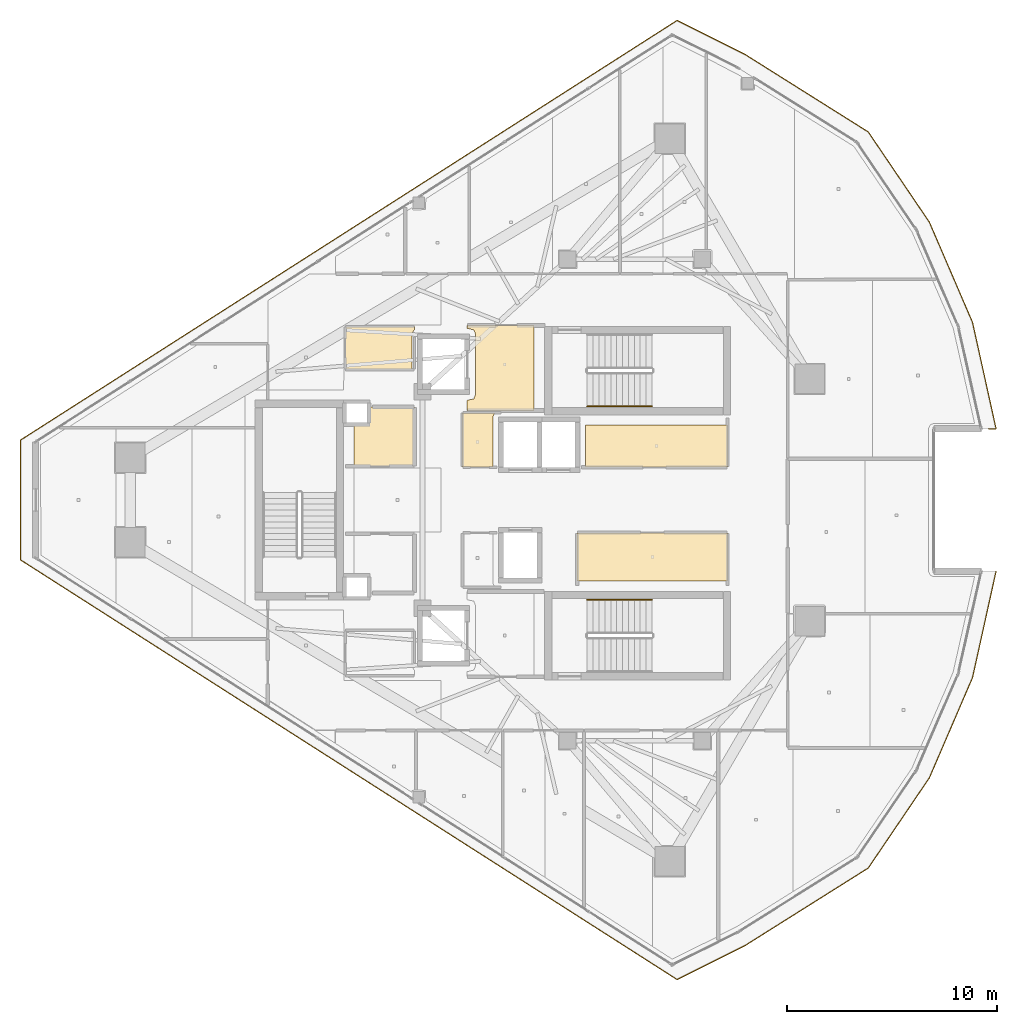
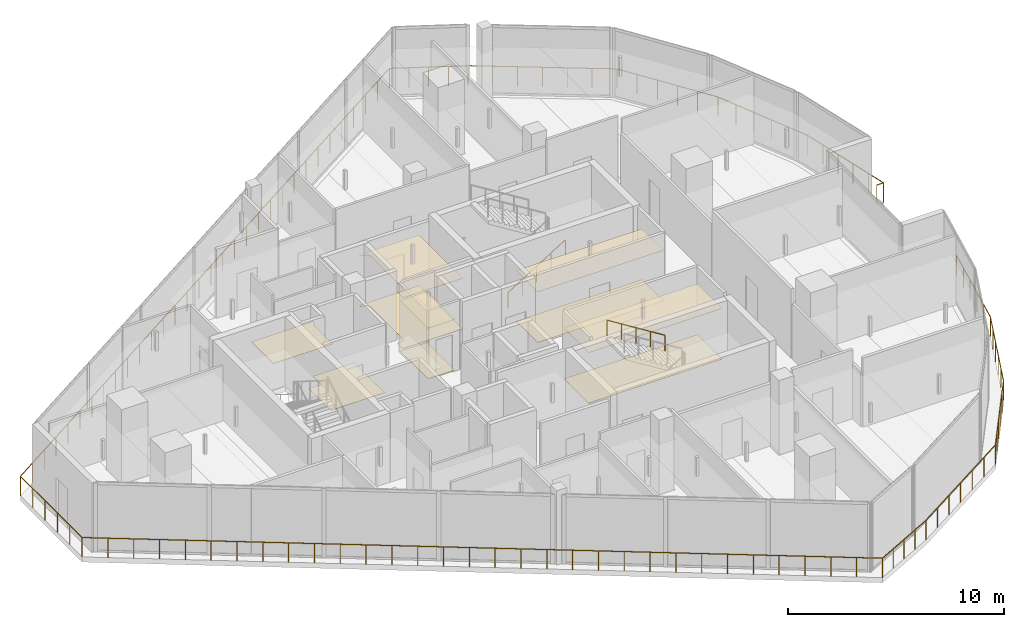
# One storey, part 23 of 25: 10 coverings, 3 railings.
"""IFC4 building model written with IfcOpenShell, lengths in metres."""

from ifc_helpers import new_model, si_unit, direction, frame, origin, origin_2d, place, context, subcontext, project, spatial, polyline, circle, outline, extrude, material, layer, layer_set, type_object, element, save


model = new_model("IFC4")

# Units and contexts
model_context = context("Model", 3, precision=1e-05, world=origin(), true_north=direction((0.0, 1.0)))
body_context = subcontext(model_context, "Body", "Model", "MODEL_VIEW")
ifc_project = project(units=[si_unit("LENGTHUNIT", "METRE"), si_unit("AREAUNIT", "SQUARE_METRE"), si_unit("VOLUMEUNIT", "CUBIC_METRE"), si_unit("PLANEANGLEUNIT", "RADIAN"), si_unit("MASSUNIT", "GRAM", prefix="KILO")], contexts=[model_context])

# Site, building, storey
site_placement = place(None, origin())
site = spatial("IfcSite", under=ifc_project, at=site_placement, CompositionType="ELEMENT")
building_placement = place(site_placement, origin())
building = spatial("IfcBuilding", under=site, at=building_placement, Name="Qorvath Tower", CompositionType="ELEMENT")
storey_placement = place(building_placement, frame((0.0, 0.0, 306.0)))
storey = spatial("IfcBuildingStorey", under=building, at=storey_placement, Name="L71", CompositionType="ELEMENT", Elevation=306.0)

# Coverings
ifc_material_1 = material(Name="Acoustic mineral fibre ceiling tile", Category="gypsum")
ifc_layer_1 = layer(ifc_material_1, 0.030029296875)
ifc_layer_set_1 = layer_set([ifc_layer_1], Name="COV-CEIL")
covering_type_1 = type_object("IfcCoveringType", Name="COV-CEIL", PredefinedType="CEILING", material=ifc_layer_set_1)
covering_1_placement = place(storey_placement, frame((0.0, 0.0, 2.85009765625)))
element("IfcCovering", 1, at=covering_1_placement, inside=storey, type_object=covering_type_1, Name="L71 Suspended Acoustic Ceiling 001", PredefinedType="CEILING", context=body_context, shape_type="SweptSolid", body=[
    extrude(outline(polyline([(-25.18994140625, 4.2548828125), (-25.18994140625, 8.294921875), (-28.375, 8.294921875), (-28.375, 8.159912109375), (-28.063232421875, 8.086669921875), (-27.989990234375, 7.909912109375), (-27.989990234375, 4.989990234375), (-28.063232421875, 4.813232421875), (-28.375, 4.739990234375), (-28.375, 4.2548828125), (-25.18994140625, 4.2548828125)])), origin(), (0.0, 0.0, 1.0), 0.030029296875),
])
covering_2_placement = place(storey_placement, frame((0.0, 0.0, 2.85009765625)))
element("IfcCovering", 2, at=covering_2_placement, inside=storey, type_object=covering_type_1, Name="L71 Suspended Acoustic Ceiling 003", PredefinedType="CEILING", context=body_context, shape_type="SweptSolid", body=[
    extrude(outline(polyline([(-16.0048828125, 3.56005859375), (-22.739990234375, 3.56005859375), (-22.739990234375, 1.56494140625), (-16.0048828125, 1.56494140625), (-16.0048828125, 3.56005859375)])), origin(), (0.0, 0.0, 1.0), 0.030029296875),
])
covering_3_placement = place(storey_placement, frame((0.0, 0.0, 2.85009765625)))
element("IfcCovering", 3, at=covering_3_placement, inside=storey, type_object=covering_type_1, Name="L71 Suspended Acoustic Ceiling 004", PredefinedType="CEILING", context=body_context, shape_type="SweptSolid", body=[
    extrude(outline(polyline([(-23.14501953125, -3.85009765625), (-16.0048828125, -3.85009765625), (-16.0048828125, -1.56494140625), (-23.14501953125, -1.56494140625), (-23.14501953125, -3.85009765625)])), origin(), (0.0, 0.0, 1.0), 0.030029296875),
])
covering_4_placement = place(storey_placement, frame((0.0, 0.0, 2.85009765625)))
element("IfcCovering", 4, at=covering_4_placement, inside=storey, type_object=covering_type_1, Name="L71 Suspended Acoustic Ceiling 005", PredefinedType="CEILING", context=body_context, shape_type="SweptSolid", body=[
    extrude(outline(polyline([(-27.159912109375, 1.56494140625), (-27.159912109375, 3.9599609375), (-27.06689453125, 4.14501953125), (-28.594970703125, 4.14501953125), (-28.594970703125, 1.56494140625), (-27.159912109375, 1.56494140625)])), origin(), (0.0, 0.0, 1.0), 0.030029296875),
])
ifc_material_2 = material(Name="Low-VOC modular carpet tile", Category="textile")
ifc_layer_2 = layer(ifc_material_2, 0.014892578125)
ifc_layer_set_2 = layer_set([ifc_layer_2], Name="COV-FLOOR-CPT")
covering_type_2 = type_object("IfcCoveringType", Name="COV-FLOOR-CPT", PredefinedType="FLOORING", material=ifc_layer_set_2)
covering_5_placement = place(storey_placement, origin())
element("IfcCovering", 5, at=covering_5_placement, inside=storey, type_object=covering_type_2, Name="L71 Floor Finish 003", PredefinedType="FLOORING", context=body_context, shape_type="SweptSolid", body=[
    extrude(outline(polyline([(-16.0048828125, 3.56005859375), (-22.739990234375, 3.56005859375), (-22.739990234375, 1.56494140625), (-16.0048828125, 1.56494140625), (-16.0048828125, 3.56005859375)])), origin(), (0.0, 0.0, 1.0), 0.014892578125),
])
covering_6_placement = place(storey_placement, origin())
element("IfcCovering", 6, at=covering_6_placement, inside=storey, type_object=covering_type_2, Name="L71 Floor Finish 004", PredefinedType="FLOORING", context=body_context, shape_type="SweptSolid", body=[
    extrude(outline(polyline([(-23.14501953125, -3.85009765625), (-16.0048828125, -3.85009765625), (-16.0048828125, -1.56494140625), (-23.14501953125, -1.56494140625), (-23.14501953125, -3.85009765625)])), origin(), (0.0, 0.0, 1.0), 0.014892578125),
])
covering_7_placement = place(storey_placement, origin())
element("IfcCovering", 7, at=covering_7_placement, inside=storey, type_object=covering_type_2, Name="L71 Floor Finish 005", PredefinedType="FLOORING", context=body_context, shape_type="SweptSolid", body=[
    extrude(outline(polyline([(-27.159912109375, 1.56494140625), (-27.159912109375, 3.9599609375), (-27.06689453125, 4.14501953125), (-28.594970703125, 4.14501953125), (-28.594970703125, 1.56494140625), (-27.159912109375, 1.56494140625)])), origin(), (0.0, 0.0, 1.0), 0.014892578125),
])
covering_8_placement = place(storey_placement, origin())
element("IfcCovering", 8, at=covering_8_placement, inside=storey, type_object=covering_type_2, Name="L71 Floor Finish 008", PredefinedType="FLOORING", context=body_context, shape_type="SweptSolid", body=[
    extrude(outline(polyline([(-33.760009765625, 3.636962890625), (-33.760009765625, 1.60498046875), (-30.885009765625, 1.60498046875), (-30.885009765625, 4.4150390625), (-33.0869140625, 4.4150390625), (-33.092041015625, 3.636962890625), (-33.760009765625, 3.636962890625)])), origin(), (0.0, 0.0, 1.0), 0.014892578125),
])
ifc_material_3 = material(Name="Polished epoxy terrazzo flooring", Category="concrete")
ifc_layer_3 = layer(ifc_material_3, 0.02001953125)
ifc_layer_set_3 = layer_set([ifc_layer_3], Name="COV-FLOOR-TRZ")
covering_type_3 = type_object("IfcCoveringType", Name="COV-FLOOR-TRZ", PredefinedType="FLOORING", material=ifc_layer_set_3)
covering_9_placement = place(storey_placement, origin())
element("IfcCovering", 9, at=covering_9_placement, inside=storey, type_object=covering_type_3, Name="L71 Floor Finish 001", PredefinedType="FLOORING", context=body_context, shape_type="SweptSolid", body=[
    extrude(outline(polyline([(-25.18994140625, 4.2548828125), (-25.18994140625, 8.294921875), (-28.375, 8.294921875), (-28.375, 8.159912109375), (-28.063232421875, 8.086669921875), (-27.989990234375, 7.909912109375), (-27.989990234375, 4.989990234375), (-28.063232421875, 4.813232421875), (-28.375, 4.739990234375), (-28.375, 4.2548828125), (-25.18994140625, 4.2548828125)])), origin(), (0.0, 0.0, 1.0), 0.014892578125),
])
covering_10_placement = place(storey_placement, origin())
element("IfcCovering", 10, at=covering_10_placement, inside=storey, type_object=covering_type_3, Name="L71 Floor Finish 007", PredefinedType="FLOORING", context=body_context, shape_type="SweptSolid", body=[
    extrude(outline(polyline([(-31.010009765625, 6.205078125), (-31.010009765625, 7.909912109375), (-30.885009765625, 8.108154296875), (-30.885009765625, 8.2451171875), (-34.175048828125, 8.2451171875), (-34.175048828125, 6.205078125), (-31.010009765625, 6.205078125)])), origin(), (0.0, 0.0, 1.0), 0.014892578125),
])

# Railings
ifc_material_4 = material(Name="Laminated safety glass and stainless steel AISI 316", Category="steel")
railing_type_1 = type_object("IfcRailingType", Name="RL-EXT-GRD", PredefinedType="GUARDRAIL", material=ifc_material_4)
railing_1_placement = place(storey_placement, frame((-3.226806640625, -3.3857421875, 0.0)))
element("IfcRailing", 11, at=railing_1_placement, inside=storey, type_object=railing_type_1, Name="Loggia Perimeter Guardrail L71-1.1", PredefinedType="GUARDRAIL", context=body_context, shape_type="SweptSolid", body=[
    extrude(circle(Radius=0.02392578125, at=origin_2d()), frame((0.0, 0.0, 1.09619140625), z_axis=(-0.216132663906, -0.976364005683, 0.0), x_axis=(0.976364005683, -0.216132663906, 0.0)), (0.0, 0.0, 1.0), 5.184814453125),
    extrude(circle(Radius=0.02392578125, at=origin_2d()), frame((-1.12060546875, -5.062255859375, 1.09619140625), z_axis=(-0.395441798603, -0.918491036384, 0.0), x_axis=(0.918491036384, -0.395441798603, 0.0)), (0.0, 0.0, 1.0), 5.184814453125),
    extrude(circle(Radius=0.02392578125, at=origin_2d()), frame((-3.1708984375, -9.824462890625, 1.09619140625), z_axis=(-0.560835650609, -0.827927154408, 0.0), x_axis=(0.827927154408, -0.560835650609, 0.0)), (0.0, 0.0, 1.0), 5.1845703125),
    extrude(circle(Radius=0.02392578125, at=origin_2d()), frame((-6.07861328125, -14.116943359375, 1.09619140625), z_axis=(-0.846502964579, -0.532384007046, 0.0), x_axis=(0.532384007046, -0.846502964579, 0.0)), (0.0, 0.0, 1.0), 6.894775390625),
    extrude(circle(Radius=0.02392578125, at=origin_2d()), frame((-11.9150390625, -17.78759765625, 1.09619140625), z_axis=(-0.894440597487, -0.447186781521, 0.0), x_axis=(0.447186781521, -0.894440597487, 0.0)), (0.0, 0.0, 1.0), 3.64208984375),
    extrude(circle(Radius=0.02392578125, at=origin_2d()), frame((-15.172607421875, -19.416259765625, 1.09619140625), z_axis=(-0.842605142368, 0.538531869117, 0.0), x_axis=(-0.538531869117, -0.842605142368, 0.0)), (0.0, 0.0, 1.0), 37.04833984375),
    extrude(circle(Radius=0.02392578125, at=origin_2d()), frame((-46.3896484375, 0.535400390625, 1.09619140625), z_axis=(0.0, 1.0, 0.0), x_axis=(-1.0, 0.0, 0.0)), (0.0, 0.0, 1.0), 5.70068359375),
    extrude(circle(Radius=0.02392578125, at=origin_2d()), frame((-46.3896484375, 6.236083984375, 1.09619140625), z_axis=(0.842605142368, 0.538531869117, 0.0), x_axis=(-0.538531869117, 0.842605142368, 0.0)), (0.0, 0.0, 1.0), 37.04833984375),
    extrude(circle(Radius=0.02392578125, at=origin_2d()), frame((-15.172607421875, 26.187744140625, 1.09619140625), z_axis=(0.894440597487, -0.447186781521, 0.0), x_axis=(0.447186781521, 0.894440597487, 0.0)), (0.0, 0.0, 1.0), 3.64208984375),
    extrude(circle(Radius=0.02392578125, at=origin_2d()), frame((-11.9150390625, 24.55908203125, 1.09619140625), z_axis=(0.846502964579, -0.532384007046, 0.0), x_axis=(0.532384007046, 0.846502964579, 0.0)), (0.0, 0.0, 1.0), 6.894775390625),
    extrude(circle(Radius=0.02392578125, at=origin_2d()), frame((-6.07861328125, 20.888427734375, 1.09619140625), z_axis=(0.560835650609, -0.827927154408, 0.0), x_axis=(0.827927154408, 0.560835650609, 0.0)), (0.0, 0.0, 1.0), 5.1845703125),
    extrude(circle(Radius=0.02392578125, at=origin_2d()), frame((-3.1708984375, 16.595947265625, 1.09619140625), z_axis=(0.395441798603, -0.918491036384, 0.0), x_axis=(0.918491036384, 0.395441798603, 0.0)), (0.0, 0.0, 1.0), 5.184814453125),
    extrude(circle(Radius=0.02392578125, at=origin_2d()), frame((-1.12060546875, 11.833740234375, 1.09619140625), z_axis=(0.216132663906, -0.976364005683, 0.0), x_axis=(0.976364005683, 0.216132663906, 0.0)), (0.0, 0.0, 1.0), 5.184814453125),
    extrude(circle(Radius=0.02392578125, at=origin_2d()), frame((0.0, 6.771484375, 1.09619140625), z_axis=(-1.0, 0.0, 0.0), x_axis=(0.0, -1.0, 0.0)), (0.0, 0.0, 1.0), 0.354248046875),
    extrude(circle(Radius=0.02099609375, at=origin_2d()), origin(), (0.0, 0.0, 1.0), 1.072021484375),
    extrude(circle(Radius=0.02099609375, at=origin_2d()), frame((-0.22412109375, -1.012451171875, 0.0)), (0.0, 0.0, 1.0), 1.072021484375),
    extrude(circle(Radius=0.02099609375, at=origin_2d()), frame((-0.4482421875, -2.02490234375, 0.0)), (0.0, 0.0, 1.0), 1.072021484375),
    extrude(circle(Radius=0.02099609375, at=origin_2d()), frame((-0.67236328125, -3.037353515625, 0.0)), (0.0, 0.0, 1.0), 1.072021484375),
    extrude(circle(Radius=0.02099609375, at=origin_2d()), frame((-0.896484375, -4.0498046875, 0.0)), (0.0, 0.0, 1.0), 1.072021484375),
    extrude(circle(Radius=0.02099609375, at=origin_2d()), frame((-1.12060546875, -5.062255859375, 0.0)), (0.0, 0.0, 1.0), 1.072021484375),
    extrude(circle(Radius=0.02099609375, at=origin_2d()), frame((-1.53076171875, -6.0146484375, 0.0)), (0.0, 0.0, 1.0), 1.072021484375),
    extrude(circle(Radius=0.02099609375, at=origin_2d()), frame((-1.940673828125, -6.967041015625, 0.0)), (0.0, 0.0, 1.0), 1.072021484375),
    extrude(circle(Radius=0.02099609375, at=origin_2d()), frame((-2.350830078125, -7.919677734375, 0.0)), (0.0, 0.0, 1.0), 1.072021484375),
    extrude(circle(Radius=0.02099609375, at=origin_2d()), frame((-2.7607421875, -8.8720703125, 0.0)), (0.0, 0.0, 1.0), 1.072021484375),
    extrude(circle(Radius=0.02099609375, at=origin_2d()), frame((-3.1708984375, -9.824462890625, 0.0)), (0.0, 0.0, 1.0), 1.072021484375),
    extrude(circle(Radius=0.02099609375, at=origin_2d()), frame((-3.75244140625, -10.682861328125, 0.0)), (0.0, 0.0, 1.0), 1.072021484375),
    extrude(circle(Radius=0.02099609375, at=origin_2d()), frame((-4.333984375, -11.54150390625, 0.0)), (0.0, 0.0, 1.0), 1.072021484375),
    extrude(circle(Radius=0.02099609375, at=origin_2d()), frame((-4.91552734375, -12.39990234375, 0.0)), (0.0, 0.0, 1.0), 1.072021484375),
    extrude(circle(Radius=0.02099609375, at=origin_2d()), frame((-5.4970703125, -13.258544921875, 0.0)), (0.0, 0.0, 1.0), 1.072021484375),
    extrude(circle(Radius=0.02099609375, at=origin_2d()), frame((-6.07861328125, -14.116943359375, 0.0)), (0.0, 0.0, 1.0), 1.072021484375),
    extrude(circle(Radius=0.02099609375, at=origin_2d()), frame((-7.05126953125, -14.728759765625, 0.0)), (0.0, 0.0, 1.0), 1.072021484375),
    extrude(circle(Radius=0.02099609375, at=origin_2d()), frame((-8.024169921875, -15.340576171875, 0.0)), (0.0, 0.0, 1.0), 1.072021484375),
    extrude(circle(Radius=0.02099609375, at=origin_2d()), frame((-8.996826171875, -15.9521484375, 0.0)), (0.0, 0.0, 1.0), 1.072021484375),
    extrude(circle(Radius=0.02099609375, at=origin_2d()), frame((-9.969482421875, -16.56396484375, 0.0)), (0.0, 0.0, 1.0), 1.072021484375),
    extrude(circle(Radius=0.02099609375, at=origin_2d()), frame((-10.9423828125, -17.17578125, 0.0)), (0.0, 0.0, 1.0), 1.072021484375),
    extrude(circle(Radius=0.02099609375, at=origin_2d()), frame((-11.9150390625, -17.78759765625, 0.0)), (0.0, 0.0, 1.0), 1.072021484375),
    extrude(circle(Radius=0.02099609375, at=origin_2d()), frame((-12.7294921875, -18.19482421875, 0.0)), (0.0, 0.0, 1.0), 1.072021484375),
    extrude(circle(Radius=0.02099609375, at=origin_2d()), frame((-13.5439453125, -18.60205078125, 0.0)), (0.0, 0.0, 1.0), 1.072021484375),
    extrude(circle(Radius=0.02099609375, at=origin_2d()), frame((-14.358154296875, -19.009033203125, 0.0)), (0.0, 0.0, 1.0), 1.072021484375),
    extrude(circle(Radius=0.02099609375, at=origin_2d()), frame((-15.172607421875, -19.416259765625, 0.0)), (0.0, 0.0, 1.0), 1.072021484375),
    extrude(circle(Radius=0.02099609375, at=origin_2d()), frame((-16.1796875, -18.772705078125, 0.0)), (0.0, 0.0, 1.0), 1.072021484375),
    extrude(circle(Radius=0.02099609375, at=origin_2d()), frame((-17.1865234375, -18.129150390625, 0.0)), (0.0, 0.0, 1.0), 1.072021484375),
    extrude(circle(Radius=0.02099609375, at=origin_2d()), frame((-18.193603515625, -17.4853515625, 0.0)), (0.0, 0.0, 1.0), 1.072021484375),
    extrude(circle(Radius=0.02099609375, at=origin_2d()), frame((-19.20068359375, -16.841796875, 0.0)), (0.0, 0.0, 1.0), 1.072021484375),
    extrude(circle(Radius=0.02099609375, at=origin_2d()), frame((-20.20751953125, -16.1982421875, 0.0)), (0.0, 0.0, 1.0), 1.072021484375),
    extrude(circle(Radius=0.02099609375, at=origin_2d()), frame((-21.214599609375, -15.5546875, 0.0)), (0.0, 0.0, 1.0), 1.072021484375),
    extrude(circle(Radius=0.02099609375, at=origin_2d()), frame((-22.2216796875, -14.9111328125, 0.0)), (0.0, 0.0, 1.0), 1.072021484375),
    extrude(circle(Radius=0.02099609375, at=origin_2d()), frame((-23.228515625, -14.267333984375, 0.0)), (0.0, 0.0, 1.0), 1.072021484375),
    extrude(circle(Radius=0.02099609375, at=origin_2d()), frame((-24.235595703125, -13.623779296875, 0.0)), (0.0, 0.0, 1.0), 1.072021484375),
    extrude(circle(Radius=0.02099609375, at=origin_2d()), frame((-25.24267578125, -12.980224609375, 0.0)), (0.0, 0.0, 1.0), 1.072021484375),
    extrude(circle(Radius=0.02099609375, at=origin_2d()), frame((-26.24951171875, -12.336669921875, 0.0)), (0.0, 0.0, 1.0), 1.072021484375),
    extrude(circle(Radius=0.02099609375, at=origin_2d()), frame((-27.256591796875, -11.693115234375, 0.0)), (0.0, 0.0, 1.0), 1.072021484375),
    extrude(circle(Radius=0.02099609375, at=origin_2d()), frame((-28.263671875, -11.04931640625, 0.0)), (0.0, 0.0, 1.0), 1.072021484375),
    extrude(circle(Radius=0.02099609375, at=origin_2d()), frame((-29.2705078125, -10.40576171875, 0.0)), (0.0, 0.0, 1.0), 1.072021484375),
    extrude(circle(Radius=0.02099609375, at=origin_2d()), frame((-30.277587890625, -9.76220703125, 0.0)), (0.0, 0.0, 1.0), 1.072021484375),
    extrude(circle(Radius=0.02099609375, at=origin_2d()), frame((-31.28466796875, -9.11865234375, 0.0)), (0.0, 0.0, 1.0), 1.072021484375),
    extrude(circle(Radius=0.02099609375, at=origin_2d()), frame((-32.291748046875, -8.47509765625, 0.0)), (0.0, 0.0, 1.0), 1.072021484375),
    extrude(circle(Radius=0.02099609375, at=origin_2d()), frame((-33.298583984375, -7.83154296875, 0.0)), (0.0, 0.0, 1.0), 1.072021484375),
    extrude(circle(Radius=0.02099609375, at=origin_2d()), frame((-34.3056640625, -7.187744140625, 0.0)), (0.0, 0.0, 1.0), 1.072021484375),
    extrude(circle(Radius=0.02099609375, at=origin_2d()), frame((-35.312744140625, -6.544189453125, 0.0)), (0.0, 0.0, 1.0), 1.072021484375),
    extrude(circle(Radius=0.02099609375, at=origin_2d()), frame((-36.319580078125, -5.900634765625, 0.0)), (0.0, 0.0, 1.0), 1.072021484375),
    extrude(circle(Radius=0.02099609375, at=origin_2d()), frame((-37.32666015625, -5.257080078125, 0.0)), (0.0, 0.0, 1.0), 1.072021484375),
    extrude(circle(Radius=0.02099609375, at=origin_2d()), frame((-38.333740234375, -4.613525390625, 0.0)), (0.0, 0.0, 1.0), 1.072021484375),
    extrude(circle(Radius=0.02099609375, at=origin_2d()), frame((-39.340576171875, -3.9697265625, 0.0)), (0.0, 0.0, 1.0), 1.072021484375),
    extrude(circle(Radius=0.02099609375, at=origin_2d()), frame((-40.34765625, -3.326171875, 0.0)), (0.0, 0.0, 1.0), 1.072021484375),
    extrude(circle(Radius=0.02099609375, at=origin_2d()), frame((-41.354736328125, -2.6826171875, 0.0)), (0.0, 0.0, 1.0), 1.072021484375),
    extrude(circle(Radius=0.02099609375, at=origin_2d()), frame((-42.361572265625, -2.0390625, 0.0)), (0.0, 0.0, 1.0), 1.072021484375),
    extrude(circle(Radius=0.02099609375, at=origin_2d()), frame((-43.36865234375, -1.3955078125, 0.0)), (0.0, 0.0, 1.0), 1.072021484375),
    extrude(circle(Radius=0.02099609375, at=origin_2d()), frame((-44.375732421875, -0.751708984375, 0.0)), (0.0, 0.0, 1.0), 1.072021484375),
    extrude(circle(Radius=0.02099609375, at=origin_2d()), frame((-45.382568359375, -0.108154296875, 0.0)), (0.0, 0.0, 1.0), 1.072021484375),
    extrude(circle(Radius=0.02099609375, at=origin_2d()), frame((-46.3896484375, 0.535400390625, 0.0)), (0.0, 0.0, 1.0), 1.072021484375),
    extrude(circle(Radius=0.02099609375, at=origin_2d()), frame((-46.3896484375, 1.675537109375, 0.0)), (0.0, 0.0, 1.0), 1.072021484375),
    extrude(circle(Radius=0.02099609375, at=origin_2d()), frame((-46.3896484375, 2.815673828125, 0.0)), (0.0, 0.0, 1.0), 1.072021484375),
    extrude(circle(Radius=0.02099609375, at=origin_2d()), frame((-46.3896484375, 3.955810546875, 0.0)), (0.0, 0.0, 1.0), 1.072021484375),
    extrude(circle(Radius=0.02099609375, at=origin_2d()), frame((-46.3896484375, 5.095947265625, 0.0)), (0.0, 0.0, 1.0), 1.072021484375),
    extrude(circle(Radius=0.02099609375, at=origin_2d()), frame((-46.3896484375, 6.236083984375, 0.0)), (0.0, 0.0, 1.0), 1.072021484375),
    extrude(circle(Radius=0.02099609375, at=origin_2d()), frame((-45.382568359375, 6.879638671875, 0.0)), (0.0, 0.0, 1.0), 1.072021484375),
    extrude(circle(Radius=0.02099609375, at=origin_2d()), frame((-44.375732421875, 7.523193359375, 0.0)), (0.0, 0.0, 1.0), 1.072021484375),
    extrude(circle(Radius=0.02099609375, at=origin_2d()), frame((-43.36865234375, 8.1669921875, 0.0)), (0.0, 0.0, 1.0), 1.072021484375),
    extrude(circle(Radius=0.02099609375, at=origin_2d()), frame((-42.361572265625, 8.810546875, 0.0)), (0.0, 0.0, 1.0), 1.072021484375),
    extrude(circle(Radius=0.02099609375, at=origin_2d()), frame((-41.354736328125, 9.4541015625, 0.0)), (0.0, 0.0, 1.0), 1.072021484375),
    extrude(circle(Radius=0.02099609375, at=origin_2d()), frame((-40.34765625, 10.09765625, 0.0)), (0.0, 0.0, 1.0), 1.072021484375),
    extrude(circle(Radius=0.02099609375, at=origin_2d()), frame((-39.340576171875, 10.7412109375, 0.0)), (0.0, 0.0, 1.0), 1.072021484375),
    extrude(circle(Radius=0.02099609375, at=origin_2d()), frame((-38.333740234375, 11.385009765625, 0.0)), (0.0, 0.0, 1.0), 1.072021484375),
    extrude(circle(Radius=0.02099609375, at=origin_2d()), frame((-37.32666015625, 12.028564453125, 0.0)), (0.0, 0.0, 1.0), 1.072021484375),
    extrude(circle(Radius=0.02099609375, at=origin_2d()), frame((-36.319580078125, 12.672119140625, 0.0)), (0.0, 0.0, 1.0), 1.072021484375),
    extrude(circle(Radius=0.02099609375, at=origin_2d()), frame((-35.312744140625, 13.315673828125, 0.0)), (0.0, 0.0, 1.0), 1.072021484375),
    extrude(circle(Radius=0.02099609375, at=origin_2d()), frame((-34.3056640625, 13.959228515625, 0.0)), (0.0, 0.0, 1.0), 1.072021484375),
    extrude(circle(Radius=0.02099609375, at=origin_2d()), frame((-33.298583984375, 14.60302734375, 0.0)), (0.0, 0.0, 1.0), 1.072021484375),
    extrude(circle(Radius=0.02099609375, at=origin_2d()), frame((-32.291748046875, 15.24658203125, 0.0)), (0.0, 0.0, 1.0), 1.072021484375),
    extrude(circle(Radius=0.02099609375, at=origin_2d()), frame((-31.28466796875, 15.89013671875, 0.0)), (0.0, 0.0, 1.0), 1.072021484375),
    extrude(circle(Radius=0.02099609375, at=origin_2d()), frame((-30.277587890625, 16.53369140625, 0.0)), (0.0, 0.0, 1.0), 1.072021484375),
    extrude(circle(Radius=0.02099609375, at=origin_2d()), frame((-29.2705078125, 17.17724609375, 0.0)), (0.0, 0.0, 1.0), 1.072021484375),
    extrude(circle(Radius=0.02099609375, at=origin_2d()), frame((-28.263671875, 17.82080078125, 0.0)), (0.0, 0.0, 1.0), 1.072021484375),
    extrude(circle(Radius=0.02099609375, at=origin_2d()), frame((-27.256591796875, 18.464599609375, 0.0)), (0.0, 0.0, 1.0), 1.072021484375),
    extrude(circle(Radius=0.02099609375, at=origin_2d()), frame((-26.24951171875, 19.108154296875, 0.0)), (0.0, 0.0, 1.0), 1.072021484375),
    extrude(circle(Radius=0.02099609375, at=origin_2d()), frame((-25.24267578125, 19.751708984375, 0.0)), (0.0, 0.0, 1.0), 1.072021484375),
    extrude(circle(Radius=0.02099609375, at=origin_2d()), frame((-24.235595703125, 20.395263671875, 0.0)), (0.0, 0.0, 1.0), 1.072021484375),
    extrude(circle(Radius=0.02099609375, at=origin_2d()), frame((-23.228515625, 21.038818359375, 0.0)), (0.0, 0.0, 1.0), 1.072021484375),
    extrude(circle(Radius=0.02099609375, at=origin_2d()), frame((-22.2216796875, 21.6826171875, 0.0)), (0.0, 0.0, 1.0), 1.072021484375),
    extrude(circle(Radius=0.02099609375, at=origin_2d()), frame((-21.214599609375, 22.326171875, 0.0)), (0.0, 0.0, 1.0), 1.072021484375),
    extrude(circle(Radius=0.02099609375, at=origin_2d()), frame((-20.20751953125, 22.9697265625, 0.0)), (0.0, 0.0, 1.0), 1.072021484375),
    extrude(circle(Radius=0.02099609375, at=origin_2d()), frame((-19.20068359375, 23.61328125, 0.0)), (0.0, 0.0, 1.0), 1.072021484375),
    extrude(circle(Radius=0.02099609375, at=origin_2d()), frame((-18.193603515625, 24.2568359375, 0.0)), (0.0, 0.0, 1.0), 1.072021484375),
    extrude(circle(Radius=0.02099609375, at=origin_2d()), frame((-17.1865234375, 24.900634765625, 0.0)), (0.0, 0.0, 1.0), 1.072021484375),
    extrude(circle(Radius=0.02099609375, at=origin_2d()), frame((-16.1796875, 25.544189453125, 0.0)), (0.0, 0.0, 1.0), 1.072021484375),
    extrude(circle(Radius=0.02099609375, at=origin_2d()), frame((-15.172607421875, 26.187744140625, 0.0)), (0.0, 0.0, 1.0), 1.072021484375),
    extrude(circle(Radius=0.02099609375, at=origin_2d()), frame((-14.358154296875, 25.780517578125, 0.0)), (0.0, 0.0, 1.0), 1.072021484375),
    extrude(circle(Radius=0.02099609375, at=origin_2d()), frame((-13.5439453125, 25.37353515625, 0.0)), (0.0, 0.0, 1.0), 1.072021484375),
    extrude(circle(Radius=0.02099609375, at=origin_2d()), frame((-12.7294921875, 24.96630859375, 0.0)), (0.0, 0.0, 1.0), 1.072021484375),
    extrude(circle(Radius=0.02099609375, at=origin_2d()), frame((-11.9150390625, 24.55908203125, 0.0)), (0.0, 0.0, 1.0), 1.072021484375),
    extrude(circle(Radius=0.02099609375, at=origin_2d()), frame((-10.9423828125, 23.947265625, 0.0)), (0.0, 0.0, 1.0), 1.072021484375),
    extrude(circle(Radius=0.02099609375, at=origin_2d()), frame((-9.969482421875, 23.33544921875, 0.0)), (0.0, 0.0, 1.0), 1.072021484375),
    extrude(circle(Radius=0.02099609375, at=origin_2d()), frame((-8.996826171875, 22.7236328125, 0.0)), (0.0, 0.0, 1.0), 1.072021484375),
    extrude(circle(Radius=0.02099609375, at=origin_2d()), frame((-8.024169921875, 22.112060546875, 0.0)), (0.0, 0.0, 1.0), 1.072021484375),
    extrude(circle(Radius=0.02099609375, at=origin_2d()), frame((-7.05126953125, 21.500244140625, 0.0)), (0.0, 0.0, 1.0), 1.072021484375),
    extrude(circle(Radius=0.02099609375, at=origin_2d()), frame((-6.07861328125, 20.888427734375, 0.0)), (0.0, 0.0, 1.0), 1.072021484375),
    extrude(circle(Radius=0.02099609375, at=origin_2d()), frame((-5.4970703125, 20.030029296875, 0.0)), (0.0, 0.0, 1.0), 1.072021484375),
    extrude(circle(Radius=0.02099609375, at=origin_2d()), frame((-4.91552734375, 19.17138671875, 0.0)), (0.0, 0.0, 1.0), 1.072021484375),
    extrude(circle(Radius=0.02099609375, at=origin_2d()), frame((-4.333984375, 18.31298828125, 0.0)), (0.0, 0.0, 1.0), 1.072021484375),
    extrude(circle(Radius=0.02099609375, at=origin_2d()), frame((-3.75244140625, 17.454345703125, 0.0)), (0.0, 0.0, 1.0), 1.072021484375),
    extrude(circle(Radius=0.02099609375, at=origin_2d()), frame((-3.1708984375, 16.595947265625, 0.0)), (0.0, 0.0, 1.0), 1.072021484375),
    extrude(circle(Radius=0.02099609375, at=origin_2d()), frame((-2.7607421875, 15.6435546875, 0.0)), (0.0, 0.0, 1.0), 1.072021484375),
    extrude(circle(Radius=0.02099609375, at=origin_2d()), frame((-2.350830078125, 14.691162109375, 0.0)), (0.0, 0.0, 1.0), 1.072021484375),
    extrude(circle(Radius=0.02099609375, at=origin_2d()), frame((-1.940673828125, 13.738525390625, 0.0)), (0.0, 0.0, 1.0), 1.072021484375),
    extrude(circle(Radius=0.02099609375, at=origin_2d()), frame((-1.53076171875, 12.7861328125, 0.0)), (0.0, 0.0, 1.0), 1.072021484375),
    extrude(circle(Radius=0.02099609375, at=origin_2d()), frame((-1.12060546875, 11.833740234375, 0.0)), (0.0, 0.0, 1.0), 1.072021484375),
    extrude(circle(Radius=0.02099609375, at=origin_2d()), frame((-0.896484375, 10.8212890625, 0.0)), (0.0, 0.0, 1.0), 1.072021484375),
    extrude(circle(Radius=0.02099609375, at=origin_2d()), frame((-0.67236328125, 9.808837890625, 0.0)), (0.0, 0.0, 1.0), 1.072021484375),
    extrude(circle(Radius=0.02099609375, at=origin_2d()), frame((-0.4482421875, 8.79638671875, 0.0)), (0.0, 0.0, 1.0), 1.072021484375),
    extrude(circle(Radius=0.02099609375, at=origin_2d()), frame((-0.22412109375, 7.783935546875, 0.0)), (0.0, 0.0, 1.0), 1.072021484375),
    extrude(circle(Radius=0.02099609375, at=origin_2d()), frame((0.0, 6.771484375, 0.0)), (0.0, 0.0, 1.0), 1.072021484375),
    extrude(circle(Radius=0.02099609375, at=origin_2d()), frame((-0.354248046875, 6.771484375, 0.0)), (0.0, 0.0, 1.0), 1.072021484375),
])
ifc_material_5 = material(Name="Brushed stainless steel AISI 304", Category="steel")
railing_type_2 = type_object("IfcRailingType", Name="RL-STR-HND", PredefinedType="HANDRAIL", material=ifc_material_5)
railing_2_placement = place(storey_placement, frame((-22.669921875, 4.449951171875, 0.175048828125)))
element("IfcRailing", 12, at=railing_2_placement, inside=storey, type_object=railing_type_2, Name="L71 TS1 stair handrail 1", PredefinedType="HANDRAIL", context=body_context, shape_type="SweptSolid", body=[
    extrude(circle(Radius=0.02392578125, at=origin_2d()), frame((0.0, 0.0, 0.8759765625), z_axis=(0.847979421464, 0.0, 0.530029150871), x_axis=(0.0, 1.0, 0.0)), (0.0, 0.0, 1.0), 3.632080078125),
    extrude(circle(Radius=0.02099609375, at=origin_2d()), origin(), (0.0, 0.0, 1.0), 0.851806640625),
    extrude(circle(Radius=0.02099609375, at=origin_2d()), frame((0.77001953125, 0.0, 0.481201171875)), (0.0, 0.0, 1.0), 0.851806640625),
    extrude(circle(Radius=0.02099609375, at=origin_2d()), frame((1.5400390625, 0.0, 0.96240234375)), (0.0, 0.0, 1.0), 0.851806640625),
    extrude(circle(Radius=0.02099609375, at=origin_2d()), frame((2.309814453125, 0.0, 1.44384765625)), (0.0, 0.0, 1.0), 0.851806640625),
    extrude(circle(Radius=0.02099609375, at=origin_2d()), frame((3.079833984375, 0.0, 1.925048828125)), (0.0, 0.0, 1.0), 0.851806640625),
])
railing_3_placement = place(storey_placement, frame((-19.590087890625, -4.739990234375, 2.27490234375)))
element("IfcRailing", 13, at=railing_3_placement, inside=storey, type_object=railing_type_2, Name="L71 TS2 stair handrail 2", PredefinedType="HANDRAIL", context=body_context, shape_type="SweptSolid", body=[
    extrude(circle(Radius=0.02392578125, at=origin_2d()), frame((0.0, 0.0, 0.8759765625), z_axis=(-0.847979421464, 0.0, 0.530029150871), x_axis=(0.0, -1.0, 0.0)), (0.0, 0.0, 1.0), 3.632080078125),
    extrude(circle(Radius=0.02099609375, at=origin_2d()), origin(), (0.0, 0.0, 1.0), 0.851806640625),
    extrude(circle(Radius=0.02099609375, at=origin_2d()), frame((-0.77001953125, 0.0, 0.481201171875)), (0.0, 0.0, 1.0), 0.851806640625),
    extrude(circle(Radius=0.02099609375, at=origin_2d()), frame((-1.5400390625, 0.0, 0.96240234375)), (0.0, 0.0, 1.0), 0.851806640625),
    extrude(circle(Radius=0.02099609375, at=origin_2d()), frame((-2.309814453125, 0.0, 1.44384765625)), (0.0, 0.0, 1.0), 0.851806640625),
    extrude(circle(Radius=0.02099609375, at=origin_2d()), frame((-3.079833984375, 0.0, 1.925048828125)), (0.0, 0.0, 1.0), 0.851806640625),
])

save(model, "model.ifc")
